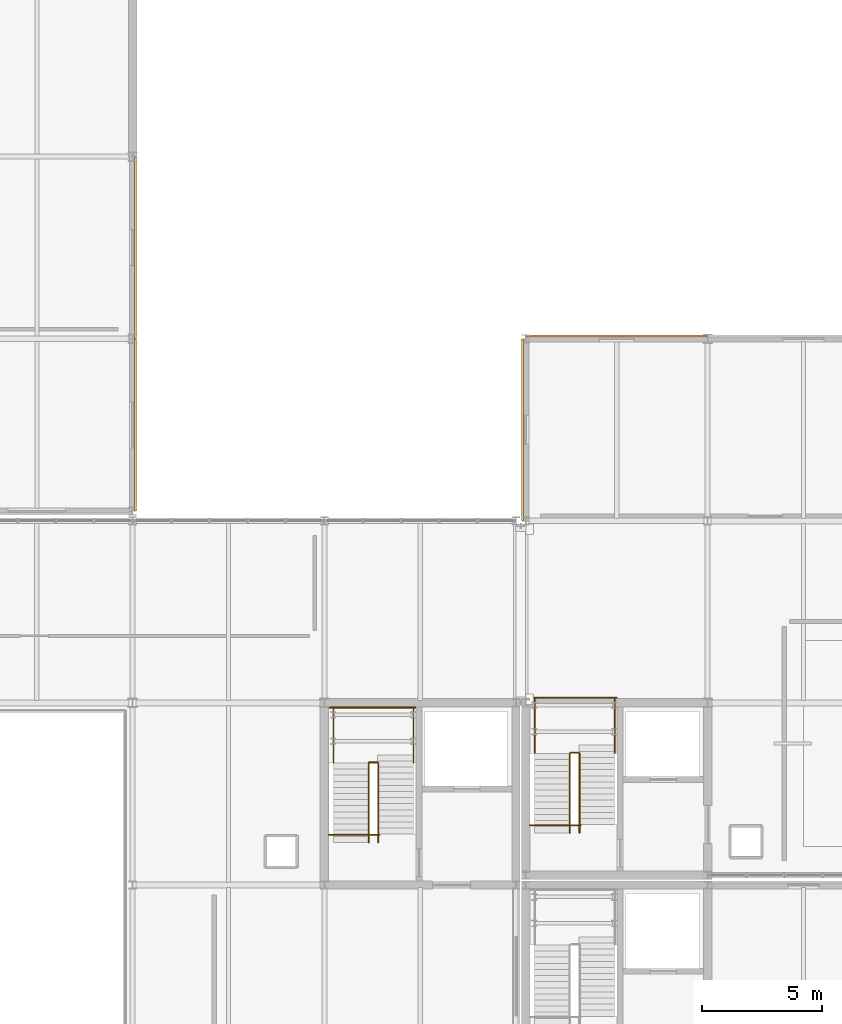
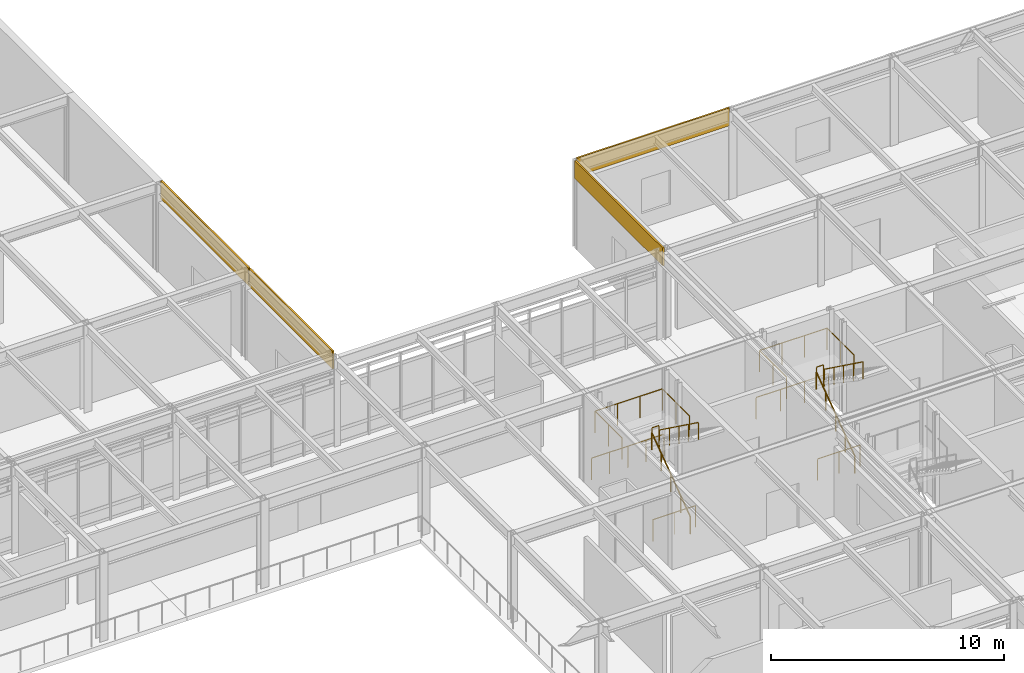
# One storey, part 101 of 104: 12 railings, 4 coverings.
"""IFC4 building model written with IfcOpenShell, lengths in metres."""

import ifcopenshell
import ifcopenshell.guid

model = None  # the IFC model being written
_history = None  # IfcOwnerHistory: only IFC2X3 demands one
_inside = {}  # id of a spatial element -> (the spatial element, [elements in it])
_under = {}  # id of a project, library or spatial element -> (it, [spatial elements below it])
_declared = {}  # id of a project -> (the project, [libraries it declares])
_typed = {}  # id of a type object -> (the type object, [elements of that type])
_made_of = {}  # id of a material, layer set ... -> (it, [elements and type objects made of it])


def new_model(schema):
    """Start an empty IFC model of exactly this schema.

    Asked for "IFC4X3", IfcOpenShell would pick the latest addendum, in which some entities
    have other attributes; the version numbers below select the first issue.
    IFC2X3 requires an IfcOwnerHistory on every rooted entity: one is made here for all.
    """
    global model, _history
    if schema == "IFC4X3":
        model = ifcopenshell.file(schema_version=(4, 3, 0, 0))
    else:
        model = ifcopenshell.file(schema=schema)
    _inside.clear()
    _under.clear()
    _declared.clear()
    _typed.clear()
    _made_of.clear()
    _history = None
    if model.schema == "IFC2X3":
        org = make("IfcOrganization", Name="unknown")
        user = make(
            "IfcPersonAndOrganization",
            ThePerson=make("IfcPerson", FamilyName="unknown"),
            TheOrganization=org,
        )
        app = make(
            "IfcApplication",
            ApplicationDeveloper=org,
            Version="unknown",
            ApplicationFullName="unknown",
            ApplicationIdentifier="unknown",
        )
        _history = make(
            "IfcOwnerHistory",
            OwningUser=user,
            OwningApplication=app,
            ChangeAction="ADDED",
            CreationDate=0,
        )
    return model


def make(cls, **values):
    """One entity of the class cls with the attributes given. An attribute that is None is left unset."""
    return model.create_entity(
        cls, **{name: value for name, value in values.items() if value is not None}
    )


def rooted(cls, **values):
    """An entity with a GlobalId (a new one), such as an element, a storey or a relation."""
    return make(cls, GlobalId=ifcopenshell.guid.new(), OwnerHistory=_history, **values)


def si_unit(unit_type, name, prefix=None):
    """IfcSIUnit, for example si_unit("LENGTHUNIT", "METRE", prefix="MILLI")."""
    return make("IfcSIUnit", UnitType=unit_type, Prefix=prefix, Name=name)


def assignment(units):
    """IfcUnitAssignment: the units of a project."""
    return None if units is None else make("IfcUnitAssignment", Units=units)


def point(xyz):
    """IfcCartesianPoint."""
    return None if xyz is None else make("IfcCartesianPoint", Coordinates=xyz)


def direction(xyz):
    """IfcDirection."""
    return None if xyz is None else make("IfcDirection", DirectionRatios=xyz)


def frame(location, z_axis=None, x_axis=None):
    """IfcAxis2Placement3D, a coordinate frame: its origin and axes. An axis left out is left unset."""
    return make(
        "IfcAxis2Placement3D",
        Location=point(location),
        Axis=direction(z_axis),
        RefDirection=direction(x_axis),
    )


def frame_2d(location, x_axis=None):
    """IfcAxis2Placement2D, a coordinate frame in the plane: its origin and x axis."""
    return make(
        "IfcAxis2Placement2D", Location=point(location), RefDirection=direction(x_axis)
    )


def origin():
    """The frame at (0, 0, 0) with its axes left unset."""
    return frame((0.0, 0.0, 0.0))


def origin_2d():
    """The frame at (0, 0) in the plane with its x axis left unset."""
    return frame_2d((0.0, 0.0))


def place(relative_to, where):
    """IfcLocalPlacement: puts the frame where relative to a parent placement (None: the world)."""
    return make(
        "IfcLocalPlacement", PlacementRelTo=relative_to, RelativePlacement=where
    )


def context(
    kind, dimensions, precision=None, world=None, true_north=None, identifier=None
):
    """IfcGeometricRepresentationContext, for example the 3D "Model" context."""
    return make(
        "IfcGeometricRepresentationContext",
        ContextIdentifier=identifier,
        ContextType=kind,
        CoordinateSpaceDimension=dimensions,
        Precision=precision,
        WorldCoordinateSystem=world,
        TrueNorth=true_north,
    )


def subcontext(parent, identifier, kind, view, scale=None):
    """IfcGeometricRepresentationSubContext, for example "Body" below "Model"."""
    return make(
        "IfcGeometricRepresentationSubContext",
        ContextIdentifier=identifier,
        ContextType=kind,
        ParentContext=parent,
        TargetScale=scale,
        TargetView=view,
    )


def project(units=None, contexts=None):
    """IfcProject with its units and contexts."""
    return rooted(
        "IfcProject",
        Name="project",
        RepresentationContexts=contexts,
        UnitsInContext=assignment(units),
    )


def spatial(cls, under=None, at=None, **own):
    """A site, building, storey or space (cls), placed at a placement, below another one or the project."""
    s = rooted(cls, ObjectPlacement=at, **own)
    if under is not None:
        _under.setdefault(under.id(), (under, []))[1].append(s)
    return s


def profile(cls, at=None, kind="AREA", **sizes):
    """A parametric profile (cls). Its sizes go by their IFC names, for example OverallWidth=200.0."""
    return make(cls, ProfileType=kind, Position=at, **sizes)


def rectangle(**sizes):
    """IfcRectangleProfileDef."""
    return profile("IfcRectangleProfileDef", **sizes)


def circle(**sizes):
    """IfcCircleProfileDef."""
    return profile("IfcCircleProfileDef", **sizes)


def extrude(swept, where, along, depth):
    """IfcExtrudedAreaSolid: the profile swept, set in the frame where, extruded along a direction by depth."""
    return make(
        "IfcExtrudedAreaSolid",
        SweptArea=swept,
        Position=where,
        ExtrudedDirection=direction(along),
        Depth=depth,
    )


def shape(context_of_items, identifier, shape_type, items):
    """IfcShapeRepresentation: the items that make up one representation, for example the "Body"."""
    return make(
        "IfcShapeRepresentation",
        ContextOfItems=context_of_items,
        RepresentationIdentifier=identifier,
        RepresentationType=shape_type,
        Items=items,
    )


def material(Name=None, Category=None):
    """IfcMaterial."""
    return make("IfcMaterial", Name=Name, Category=Category)


def layer(
    of_material, thickness, ventilated=None, Name=None, Category=None, Priority=None
):
    """IfcMaterialLayer: one layer of a wall or slab, of a material (None: an air gap)."""
    return make(
        "IfcMaterialLayer",
        Material=of_material,
        LayerThickness=thickness,
        IsVentilated=ventilated,
        Name=Name,
        Category=Category,
        Priority=Priority,
    )


def layer_set(layers, Name=None):
    """IfcMaterialLayerSet."""
    return make("IfcMaterialLayerSet", MaterialLayers=layers, LayerSetName=Name)


def made_of(thing, what):
    """Note that an element or type object is made of a material, layer set ...; save() writes the relation."""
    if what is not None:
        _made_of.setdefault(what.id(), (what, []))[1].append(thing)
    return thing


def type_object(cls, material=None, **own):
    """A type object (cls), such as IfcWallType, which elements share."""
    return made_of(rooted(cls, **own), material)


def element(
    cls,
    number,
    at=None,
    inside=None,
    cuts=None,
    type_object=None,
    material=None,
    context=None,
    identifier="Body",
    shape_type=None,
    held_by="IfcProductDefinitionShape",
    body=None,
    shapes=None,
    **own,
):
    """One element of the class cls, such as IfcWall. Its Tag is "e" and its number.

    at: its placement. inside: the storey or other place that contains it. cuts: it is an
    opening in that element (IfcRelVoidsElement). A single representation is given by context,
    identifier, shape_type and body (its items); several are given by shapes. held_by: the class
    of the entity that holds the representations. save() writes the other relations.
    """
    e = rooted(cls, Tag="e%d" % number, ObjectPlacement=at, **own)
    if body is not None:
        shapes = [shape(context, identifier, shape_type, body)]
    if shapes is not None:
        e.Representation = make(held_by, Representations=shapes)
    if inside is not None:
        _inside.setdefault(inside.id(), (inside, []))[1].append(e)
    if cuts is not None:
        rooted(
            "IfcRelVoidsElement", RelatingBuildingElement=cuts, RelatedOpeningElement=e
        )
    if type_object is not None:
        _typed.setdefault(type_object.id(), (type_object, []))[1].append(e)
    return made_of(e, material)


def aggregate(whole, parts):
    """IfcRelAggregates: a whole, such as a stair, and the parts it consists of."""
    return rooted("IfcRelAggregates", RelatingObject=whole, RelatedObjects=parts)


def save(model, path):
    """Write the relations noted so far, then the file.

    IfcRelAggregates (storeys below a building ...), IfcRelContainedInSpatialStructure (elements
    in a storey), IfcRelDefinesByType, IfcRelAssociatesMaterial and IfcRelDeclares: one each for
    every whole, place, type object, material and project.
    """
    for whole, parts in _under.values():
        aggregate(whole, parts)
    for where, things in _inside.values():
        rooted(
            "IfcRelContainedInSpatialStructure",
            RelatedElements=things,
            RelatingStructure=where,
        )
    for kind, things in _typed.values():
        rooted("IfcRelDefinesByType", RelatedObjects=things, RelatingType=kind)
    for what, things in _made_of.values():
        rooted("IfcRelAssociatesMaterial", RelatedObjects=things, RelatingMaterial=what)
    for by, libraries in _declared.values():
        rooted("IfcRelDeclares", RelatingContext=by, RelatedDefinitions=libraries)
    model.write(path)


model = new_model("IFC4")

# Units and contexts
model_context = context("Model", 3, precision=1e-05, world=origin(), true_north=direction((0.0, 1.0)))
body_context = subcontext(model_context, "Body", "Model", "MODEL_VIEW")
ifc_project = project(units=[si_unit("LENGTHUNIT", "METRE"), si_unit("AREAUNIT", "SQUARE_METRE"), si_unit("VOLUMEUNIT", "CUBIC_METRE"), si_unit("PLANEANGLEUNIT", "RADIAN"), si_unit("MASSUNIT", "GRAM", prefix="KILO")], contexts=[model_context])

# Site, building, storey
site_placement = place(None, origin())
site = spatial("IfcSite", under=ifc_project, at=site_placement, CompositionType="ELEMENT")
building_placement = place(site_placement, origin())
building = spatial("IfcBuilding", under=site, at=building_placement, Name="Zulena Civic Courthouse", CompositionType="ELEMENT")
storey_placement = place(building_placement, frame((0.0, 0.0, 10.800048828125)))
storey = spatial("IfcBuildingStorey", under=building, at=storey_placement, Name="L02", CompositionType="ELEMENT", Elevation=10.800048828125)

# Railings
ifc_material_1 = material(Name="Brushed architectural steel ASTM A36", Category="steel")
railing_type_1 = type_object("IfcRailingType", Name="InteriorGuardrail_1150", PredefinedType="GUARDRAIL", material=ifc_material_1)
railing_1_placement = place(storey_placement, frame((124.60009765625, 38.2099609375, 0.0)))
element("IfcRailing", 1, at=railing_1_placement, inside=storey, type_object=railing_type_1, Name="gr:wellN:K3A:L01", PredefinedType="GUARDRAIL", context=body_context, shape_type="SweptSolid", body=[
    extrude(circle(Radius=0.02392578125, at=origin_2d()), frame((0.00390625, 0.0, 1.1259765625), z_axis=(1.0, 0.0, 0.0), x_axis=(0.0, 1.0, 0.0)), (0.0, 0.0, 1.0), 3.591796875),
    extrude(circle(Radius=0.02099609375, at=origin_2d()), origin(), (0.0, 0.0, 1.0), 1.097900390625),
    extrude(circle(Radius=0.02099609375, at=origin_2d()), frame((1.199951171875, 0.0, 0.0)), (0.0, 0.0, 1.0), 1.097900390625),
    extrude(circle(Radius=0.02099609375, at=origin_2d()), frame((2.39990234375, 0.0, 0.0)), (0.0, 0.0, 1.0), 1.097900390625),
    extrude(circle(Radius=0.02099609375, at=origin_2d()), frame((3.599853515625, 0.0, 0.0)), (0.0, 0.0, 1.0), 1.097900390625),
])
railing_2_placement = place(storey_placement, frame((124.580078125, 32.89990234375, 0.0)))
element("IfcRailing", 2, at=railing_2_placement, inside=storey, type_object=railing_type_1, Name="gr:wells:K3A:L02", PredefinedType="GUARDRAIL", context=body_context, shape_type="SweptSolid", body=[
    extrude(circle(Radius=0.02392578125, at=origin_2d()), frame((0.00390625, 0.0, 1.1259765625), z_axis=(1.0, 0.0, 0.0), x_axis=(0.0, 1.0, 0.0)), (0.0, 0.0, 1.0), 2.11181640625),
    extrude(circle(Radius=0.02099609375, at=origin_2d()), origin(), (0.0, 0.0, 1.0), 1.097900390625),
    extrude(circle(Radius=0.02099609375, at=origin_2d()), frame((1.06005859375, 0.0, 0.0)), (0.0, 0.0, 1.0), 1.097900390625),
    extrude(circle(Radius=0.02099609375, at=origin_2d()), frame((2.119873046875, 0.0, 0.0)), (0.0, 0.0, 1.0), 1.097900390625),
])
railing_3_placement = place(storey_placement, frame((124.780029296875, 35.89453125, 2.39990234375)))
element("IfcRailing", 3, at=railing_3_placement, inside=storey, type_object=railing_type_1, Name="gr:lnd:K3A:L02", PredefinedType="GUARDRAIL", context=body_context, shape_type="SweptSolid", body=[
    extrude(circle(Radius=0.02392578125, at=origin_2d()), frame((0.0, 0.00390625, 1.1259765625), z_axis=(0.0, 1.0, 0.0), x_axis=(-1.0, 0.0, 0.0)), (0.0, 0.0, 1.0), 2.3173828125),
    extrude(circle(Radius=0.02392578125, at=origin_2d()), frame((0.00390625, 2.325439453125, 1.1259765625), z_axis=(1.0, 0.0, 0.0), x_axis=(0.0, 1.0, 0.0)), (0.0, 0.0, 1.0), 3.33203125),
    extrude(circle(Radius=0.02392578125, at=origin_2d()), frame((3.340087890625, 2.321533203125, 1.1259765625), z_axis=(0.0, -1.0, 0.0), x_axis=(1.0, 0.0, 0.0)), (0.0, 0.0, 1.0), 2.3173828125),
    extrude(circle(Radius=0.02099609375, at=origin_2d()), origin(), (0.0, 0.0, 1.0), 1.097900390625),
    extrude(circle(Radius=0.02099609375, at=origin_2d()), frame((0.0, 1.16259765625, 0.0)), (0.0, 0.0, 1.0), 1.097900390625),
    extrude(circle(Radius=0.02099609375, at=origin_2d()), frame((0.0, 2.325439453125, 0.0)), (0.0, 0.0, 1.0), 1.097900390625),
    extrude(circle(Radius=0.02099609375, at=origin_2d()), frame((1.11328125, 2.325439453125, 0.0)), (0.0, 0.0, 1.0), 1.097900390625),
    extrude(circle(Radius=0.02099609375, at=origin_2d()), frame((2.226806640625, 2.325439453125, 0.0)), (0.0, 0.0, 1.0), 1.097900390625),
    extrude(circle(Radius=0.02099609375, at=origin_2d()), frame((3.340087890625, 2.325439453125, 0.0)), (0.0, 0.0, 1.0), 1.097900390625),
    extrude(circle(Radius=0.02099609375, at=origin_2d()), frame((3.340087890625, 1.16259765625, 0.0)), (0.0, 0.0, 1.0), 1.097900390625),
    extrude(circle(Radius=0.02099609375, at=origin_2d()), frame((3.340087890625, 0.0, 0.0)), (0.0, 0.0, 1.0), 1.097900390625),
])
railing_4_placement = place(storey_placement, frame((126.280029296875, 35.9150390625, 2.39990234375)))
element("IfcRailing", 4, at=railing_4_placement, inside=storey, type_object=railing_type_1, Name="gr:lndslot:K3A:L02", PredefinedType="GUARDRAIL", context=body_context, shape_type="SweptSolid", body=[
    extrude(circle(Radius=0.02392578125, at=origin_2d()), frame((0.00390625, 0.0, 1.1259765625), z_axis=(1.0, 0.0, 0.0), x_axis=(0.0, 1.0, 0.0)), (0.0, 0.0, 1.0), 0.33203125),
    extrude(circle(Radius=0.02099609375, at=origin_2d()), origin(), (0.0, 0.0, 1.0), 1.097900390625),
    extrude(circle(Radius=0.02099609375, at=origin_2d()), frame((0.340087890625, 0.0, 0.0)), (0.0, 0.0, 1.0), 1.097900390625),
])
railing_5_placement = place(storey_placement, frame((116.199951171875, 37.81005859375, 0.0)))
element("IfcRailing", 5, at=railing_5_placement, inside=storey, type_object=railing_type_1, Name="gr:wellN:K4B:L01", PredefinedType="GUARDRAIL", context=body_context, shape_type="SweptSolid", body=[
    extrude(circle(Radius=0.02392578125, at=origin_2d()), frame((0.00390625, 0.0, 1.1259765625), z_axis=(1.0, 0.0, 0.0), x_axis=(0.0, 1.0, 0.0)), (0.0, 0.0, 1.0), 3.592041015625),
    extrude(circle(Radius=0.02099609375, at=origin_2d()), origin(), (0.0, 0.0, 1.0), 1.097900390625),
    extrude(circle(Radius=0.02099609375, at=origin_2d()), frame((0.89990234375, 0.0, 0.0)), (0.0, 0.0, 1.0), 1.097900390625),
    extrude(circle(Radius=0.02099609375, at=origin_2d()), frame((1.800048828125, 0.0, 0.0)), (0.0, 0.0, 1.0), 1.097900390625),
    extrude(circle(Radius=0.02099609375, at=origin_2d()), frame((2.7001953125, 0.0, 0.0)), (0.0, 0.0, 1.0), 1.097900390625),
    extrude(circle(Radius=0.02099609375, at=origin_2d()), frame((3.60009765625, 0.0, 0.0)), (0.0, 0.0, 1.0), 1.097900390625),
])
railing_6_placement = place(storey_placement, frame((116.179931640625, 32.5, 0.0)))
element("IfcRailing", 6, at=railing_6_placement, inside=storey, type_object=railing_type_1, Name="gr:wells:K4B:L02", PredefinedType="GUARDRAIL", context=body_context, shape_type="SweptSolid", body=[
    extrude(circle(Radius=0.02392578125, at=origin_2d()), frame((0.00390625, 0.0, 1.1259765625), z_axis=(1.0, 0.0, 0.0), x_axis=(0.0, 1.0, 0.0)), (0.0, 0.0, 1.0), 2.112060546875),
    extrude(circle(Radius=0.02099609375, at=origin_2d()), origin(), (0.0, 0.0, 1.0), 1.097900390625),
    extrude(circle(Radius=0.02099609375, at=origin_2d()), frame((1.06005859375, 0.0, 0.0)), (0.0, 0.0, 1.0), 1.097900390625),
    extrude(circle(Radius=0.02099609375, at=origin_2d()), frame((2.1201171875, 0.0, 0.0)), (0.0, 0.0, 1.0), 1.097900390625),
])
railing_7_placement = place(storey_placement, frame((116.3798828125, 35.49462890625, 2.39990234375)))
element("IfcRailing", 7, at=railing_7_placement, inside=storey, type_object=railing_type_1, Name="gr:lnd:K4B:L02", PredefinedType="GUARDRAIL", context=body_context, shape_type="SweptSolid", body=[
    extrude(circle(Radius=0.02392578125, at=origin_2d()), frame((0.0, 0.00390625, 1.1259765625), z_axis=(0.0, 1.0, 0.0), x_axis=(-1.0, 0.0, 0.0)), (0.0, 0.0, 1.0), 2.3173828125),
    extrude(circle(Radius=0.02392578125, at=origin_2d()), frame((0.00390625, 2.325439453125, 1.1259765625), z_axis=(1.0, 0.0, 0.0), x_axis=(0.0, 1.0, 0.0)), (0.0, 0.0, 1.0), 3.33203125),
    extrude(circle(Radius=0.02392578125, at=origin_2d()), frame((3.340087890625, 2.321533203125, 1.1259765625), z_axis=(0.0, -1.0, 0.0), x_axis=(1.0, 0.0, 0.0)), (0.0, 0.0, 1.0), 2.3173828125),
    extrude(circle(Radius=0.02099609375, at=origin_2d()), origin(), (0.0, 0.0, 1.0), 1.097900390625),
    extrude(circle(Radius=0.02099609375, at=origin_2d()), frame((0.0, 1.16259765625, 0.0)), (0.0, 0.0, 1.0), 1.097900390625),
    extrude(circle(Radius=0.02099609375, at=origin_2d()), frame((0.0, 2.325439453125, 0.0)), (0.0, 0.0, 1.0), 1.097900390625),
    extrude(circle(Radius=0.02099609375, at=origin_2d()), frame((1.11328125, 2.325439453125, 0.0)), (0.0, 0.0, 1.0), 1.097900390625),
    extrude(circle(Radius=0.02099609375, at=origin_2d()), frame((2.226806640625, 2.325439453125, 0.0)), (0.0, 0.0, 1.0), 1.097900390625),
    extrude(circle(Radius=0.02099609375, at=origin_2d()), frame((3.340087890625, 2.325439453125, 0.0)), (0.0, 0.0, 1.0), 1.097900390625),
    extrude(circle(Radius=0.02099609375, at=origin_2d()), frame((3.340087890625, 1.16259765625, 0.0)), (0.0, 0.0, 1.0), 1.097900390625),
    extrude(circle(Radius=0.02099609375, at=origin_2d()), frame((3.340087890625, 0.0, 0.0)), (0.0, 0.0, 1.0), 1.097900390625),
])
railing_8_placement = place(storey_placement, frame((117.8798828125, 35.514892578125, 2.39990234375)))
element("IfcRailing", 8, at=railing_8_placement, inside=storey, type_object=railing_type_1, Name="gr:lndslot:K4B:L02", PredefinedType="GUARDRAIL", context=body_context, shape_type="SweptSolid", body=[
    extrude(circle(Radius=0.02392578125, at=origin_2d()), frame((0.00390625, 0.0, 1.1259765625), z_axis=(1.0, 0.0, 0.0), x_axis=(0.0, 1.0, 0.0)), (0.0, 0.0, 1.0), 0.33203125),
    extrude(circle(Radius=0.02099609375, at=origin_2d()), origin(), (0.0, 0.0, 1.0), 1.097900390625),
    extrude(circle(Radius=0.02099609375, at=origin_2d()), frame((0.340087890625, 0.0, 0.0)), (0.0, 0.0, 1.0), 1.097900390625),
])

# Coverings
ifc_material_2 = material(Name="White architectural precast concrete C40/50", Category="concrete")
ifc_layer = layer(ifc_material_2, 0.0849609375)
ifc_layer_set = layer_set([ifc_layer], Name="White architectural precast concrete C40/50")
covering_type = type_object("IfcCoveringType", Name="PrecastSpandrelCladding_85", PredefinedType="CLADDING", material=ifc_layer_set)
for number, where, z_axis, x_axis, name in (
    (9, (124.280029296875, 49.39990234375, 3.659912109375), (0.0, 0.0, 1.0), (0.0, 1.0, 0.0), "clad:sp:V3:L02:0:2"),
    (10, (128.199951171875, 53.320068359375, 3.659912109375), (0.0, 0.0, 1.0), (1.0, 0.0, 0.0), "clad:sp:V3:L02:1:0"),
    (11, (108.1201171875, 57.0, 3.659912109375), (0.0, 0.0, 1.0), (0.0, -1.0, 0.0), "clad:sp:V5:L02:4:4"),
):
    element("IfcCovering", number, at=place(storey_placement, frame(where, z_axis=z_axis, x_axis=x_axis)), inside=storey, type_object=covering_type, Name=name, PredefinedType="CLADDING", context=body_context, shape_type="SweptSolid", body=[
        extrude(rectangle(XDim=7.56005859375, YDim=0.0849609375, at=origin_2d()), origin(), (0.0, 0.0, 1.0), 0.93994140625),
    ])
covering_placement = place(storey_placement, frame((108.1201171875, 49.60009765625, 3.659912109375), z_axis=(0.0, 0.0, 1.0), x_axis=(0.0, -1.0, 0.0)))
element("IfcCovering", 12, at=covering_placement, inside=storey, type_object=covering_type, Name="clad:sp:V5:L02:4:5", PredefinedType="CLADDING", context=body_context, shape_type="SweptSolid", body=[
    extrude(rectangle(XDim=7.159912109375, YDim=0.0849609375, at=origin_2d()), origin(), (0.0, 0.0, 1.0), 0.93994140625),
])

# Railings
railing_type_2 = type_object("IfcRailingType", Name="StairHandrail_920", PredefinedType="HANDRAIL", material=ifc_material_1)
railing_9_placement = place(storey_placement, frame((126.25, 32.580078125, 0.0)))
element("IfcRailing", 13, at=railing_9_placement, inside=storey, type_object=railing_type_2, Name="hr:K3A:L02:1", PredefinedType="HANDRAIL", context=body_context, shape_type="SweptSolid", body=[
    extrude(circle(Radius=0.02392578125, at=origin_2d()), frame((0.0, 0.003173828125, 0.898193359375), z_axis=(0.0, 0.809967530533, 0.586474721946), x_axis=(-1.0, 0.0, 0.0)), (0.0, 0.0, 1.0), 4.083984375),
    extrude(circle(Radius=0.02099609375, at=origin_2d()), origin(), (0.0, 0.0, 1.0), 0.867919921875),
    extrude(circle(Radius=0.02099609375, at=origin_2d()), frame((0.0, 0.82861328125, 0.60009765625)), (0.0, 0.0, 1.0), 0.867919921875),
    extrude(circle(Radius=0.02099609375, at=origin_2d()), frame((0.0, 1.6572265625, 1.199951171875)), (0.0, 0.0, 1.0), 0.867919921875),
    extrude(circle(Radius=0.02099609375, at=origin_2d()), frame((0.0, 2.48583984375, 1.7998046875)), (0.0, 0.0, 1.0), 0.867919921875),
    extrude(circle(Radius=0.02099609375, at=origin_2d()), frame((0.0, 3.314453125, 2.39990234375)), (0.0, 0.0, 1.0), 0.867919921875),
])
railing_10_placement = place(storey_placement, frame((126.64990234375, 35.89453125, 2.39990234375)))
element("IfcRailing", 14, at=railing_10_placement, inside=storey, type_object=railing_type_2, Name="hr:K3A:L02:2", PredefinedType="HANDRAIL", context=body_context, shape_type="SweptSolid", body=[
    extrude(circle(Radius=0.02392578125, at=origin_2d()), frame((0.0, -0.003173828125, 0.898193359375), z_axis=(0.0, -0.809939189741, 0.586513860809), x_axis=(1.0, 0.0, 0.0)), (0.0, 0.0, 1.0), 4.084228515625),
    extrude(circle(Radius=0.02099609375, at=origin_2d()), origin(), (0.0, 0.0, 1.0), 0.867919921875),
    extrude(circle(Radius=0.02099609375, at=origin_2d()), frame((0.0, -0.82861328125, 0.60009765625)), (0.0, 0.0, 1.0), 0.867919921875),
    extrude(circle(Radius=0.02099609375, at=origin_2d()), frame((0.0, -1.6572265625, 1.2001953125)), (0.0, 0.0, 1.0), 0.867919921875),
    extrude(circle(Radius=0.02099609375, at=origin_2d()), frame((0.0, -2.48583984375, 1.800048828125)), (0.0, 0.0, 1.0), 0.867919921875),
    extrude(circle(Radius=0.02099609375, at=origin_2d()), frame((0.0, -3.314453125, 2.400146484375)), (0.0, 0.0, 1.0), 0.867919921875),
])
railing_11_placement = place(storey_placement, frame((117.85009765625, 32.179931640625, 0.0)))
element("IfcRailing", 15, at=railing_11_placement, inside=storey, type_object=railing_type_2, Name="hr:K4B:L02:1", PredefinedType="HANDRAIL", context=body_context, shape_type="SweptSolid", body=[
    extrude(circle(Radius=0.02392578125, at=origin_2d()), frame((0.0, 0.003173828125, 0.898193359375), z_axis=(0.0, 0.80998804985, 0.586446382119), x_axis=(-1.0, 0.0, 0.0)), (0.0, 0.0, 1.0), 4.084228515625),
    extrude(circle(Radius=0.02099609375, at=origin_2d()), origin(), (0.0, 0.0, 1.0), 0.867919921875),
    extrude(circle(Radius=0.02099609375, at=origin_2d()), frame((0.0, 0.82861328125, 0.60009765625)), (0.0, 0.0, 1.0), 0.867919921875),
    extrude(circle(Radius=0.02099609375, at=origin_2d()), frame((0.0, 1.6572265625, 1.199951171875)), (0.0, 0.0, 1.0), 0.867919921875),
    extrude(circle(Radius=0.02099609375, at=origin_2d()), frame((0.0, 2.486083984375, 1.7998046875)), (0.0, 0.0, 1.0), 0.867919921875),
    extrude(circle(Radius=0.02099609375, at=origin_2d()), frame((0.0, 3.314697265625, 2.39990234375)), (0.0, 0.0, 1.0), 0.867919921875),
])
railing_12_placement = place(storey_placement, frame((118.25, 35.49462890625, 2.39990234375)))
element("IfcRailing", 16, at=railing_12_placement, inside=storey, type_object=railing_type_2, Name="hr:K4B:L02:2", PredefinedType="HANDRAIL", context=body_context, shape_type="SweptSolid", body=[
    extrude(circle(Radius=0.02392578125, at=origin_2d()), frame((0.0, -0.003173828125, 0.898193359375), z_axis=(0.0, -0.809959711079, 0.586485521074), x_axis=(1.0, 0.0, 0.0)), (0.0, 0.0, 1.0), 4.08447265625),
    extrude(circle(Radius=0.02099609375, at=origin_2d()), origin(), (0.0, 0.0, 1.0), 0.867919921875),
    extrude(circle(Radius=0.02099609375, at=origin_2d()), frame((0.0, -0.82861328125, 0.60009765625)), (0.0, 0.0, 1.0), 0.867919921875),
    extrude(circle(Radius=0.02099609375, at=origin_2d()), frame((0.0, -1.6572265625, 1.2001953125)), (0.0, 0.0, 1.0), 0.867919921875),
    extrude(circle(Radius=0.02099609375, at=origin_2d()), frame((0.0, -2.486083984375, 1.800048828125)), (0.0, 0.0, 1.0), 0.867919921875),
    extrude(circle(Radius=0.02099609375, at=origin_2d()), frame((0.0, -3.314697265625, 2.400146484375)), (0.0, 0.0, 1.0), 0.867919921875),
])

save(model, "model.ifc")
